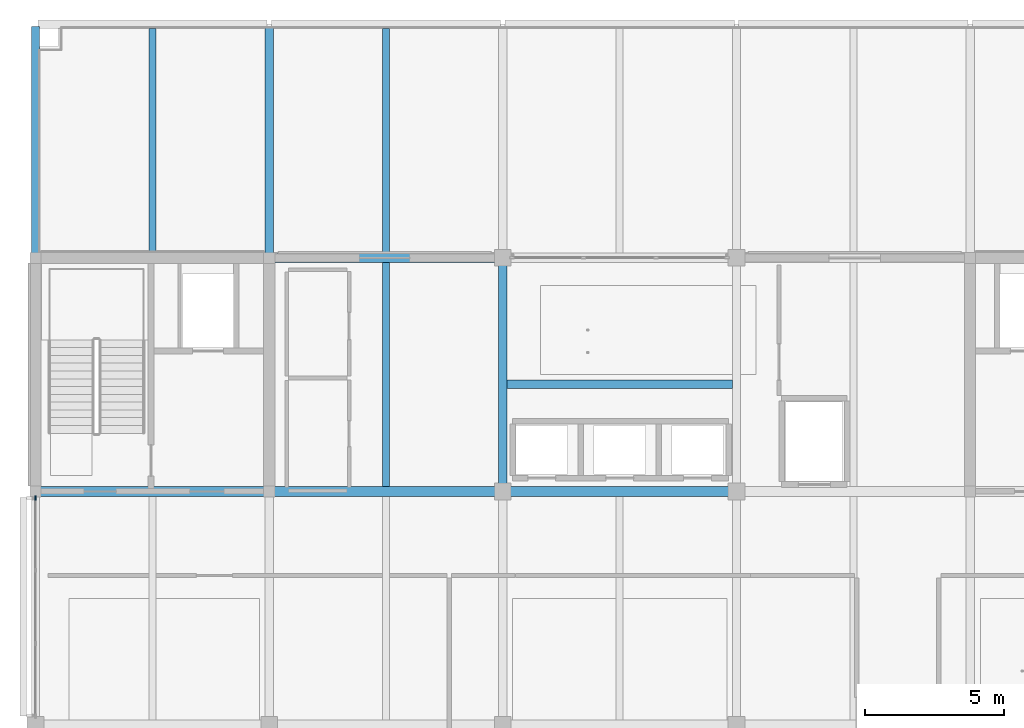
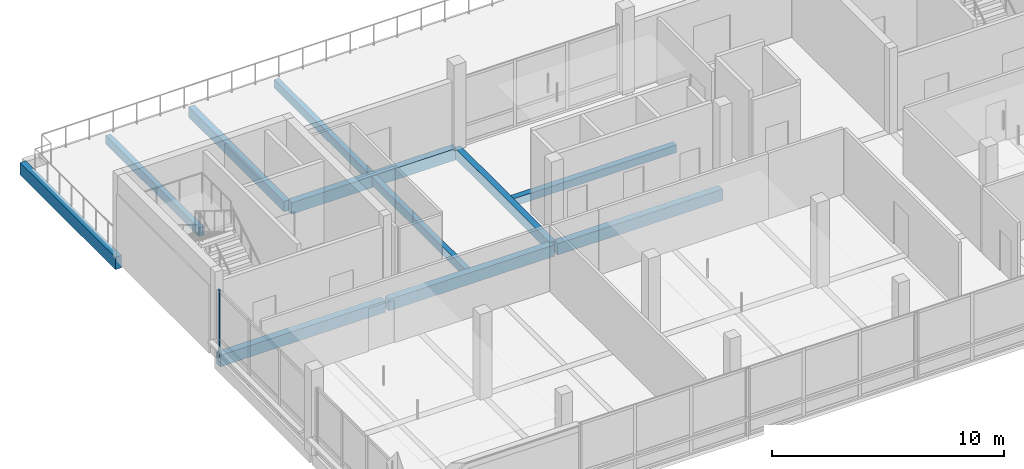
# One storey, part 4 of 25: 11 beams, 1 member, 1 element without a shape of its own.
"""IFC4 building model written with IfcOpenShell, lengths in metres."""

from ifc_helpers import new_model, si_unit, direction, frame, origin, origin_2d, place, context, subcontext, project, spatial, rectangle, extrude, material, layer, layer_set, material_profile, profile_set, type_object, element, aggregate, save


model = new_model("IFC4")

# Units and contexts
model_context = context("Model", 3, precision=1e-05, world=origin(), true_north=direction((0.0, 1.0)))
body_context = subcontext(model_context, "Body", "Model", "MODEL_VIEW")
ifc_project = project(units=[si_unit("LENGTHUNIT", "METRE"), si_unit("AREAUNIT", "SQUARE_METRE"), si_unit("VOLUMEUNIT", "CUBIC_METRE"), si_unit("PLANEANGLEUNIT", "RADIAN"), si_unit("MASSUNIT", "GRAM", prefix="KILO")], contexts=[model_context])

# Site, building, storey
site_placement = place(None, origin())
site = spatial("IfcSite", under=ifc_project, at=site_placement, CompositionType="ELEMENT")
building_placement = place(site_placement, origin())
building = spatial("IfcBuilding", under=site, at=building_placement, Name="Telukmera Botanical Conservatory", CompositionType="ELEMENT")
storey_placement = place(building_placement, frame((0.0, 0.0, 64.5)))
storey = spatial("IfcBuildingStorey", under=building, at=storey_placement, Name="L14", CompositionType="ELEMENT", Elevation=64.5)

# Beams
ifc_material_1 = material(Name="Concrete C40/50", Category="concrete")
ifc_material_profile_1 = material_profile(ifc_material_1, rectangle(XDim=0.300048828125, YDim=0.550048828125, at=origin_2d()), Name="RC 300x550")
ifc_profile_set_1 = profile_set([ifc_material_profile_1], Name="Concrete C40/50")
beam_type_1 = type_object("IfcBeamType", Name="Beam_B10", PredefinedType="BEAM", material=ifc_profile_set_1)
for number, where, z_axis, x_axis, name in (
    (1, (67.199951171875, 34.47998046875, -0.27490234375), (0.0, 1.0, 0.0), (-1.0, 0.0, 0.0), "Tower Transverse Beam L14"),
    (2, (75.60009765625, 26.080078125, -0.27490234375), (0.0, 1.0, 0.0), (-1.0, 0.0, 0.0), "Tower Transverse Beam L14"),
):
    element("IfcBeam", number, at=place(storey_placement, frame(where, z_axis=z_axis, x_axis=x_axis)), inside=storey, type_object=beam_type_1, Name=name, PredefinedType="BEAM", context=body_context, shape_type="SweptSolid", body=[
        extrude(rectangle(XDim=0.300048828125, YDim=0.550048828125, at=origin_2d()), origin(), (0.0, 0.0, 1.0), 8.239990234375),
    ])
ifc_material_profile_2 = material_profile(ifc_material_1, rectangle(XDim=0.25, YDim=0.449951171875, at=origin_2d()), Name="RC 250x450")
ifc_profile_set_2 = profile_set([ifc_material_profile_2], Name="Concrete C40/50")
beam_type_2 = type_object("IfcBeamType", Name="Beam_B27", PredefinedType="JOIST", material=ifc_profile_set_2)
beam_1_placement = place(storey_placement, frame((63.0, 34.60009765625, -0.22509765625), z_axis=(0.0, 1.0, 0.0), x_axis=(-1.0, 0.0, 0.0)))
element("IfcBeam", 3, at=beam_1_placement, inside=storey, type_object=beam_type_2, Name="Tower Secondary Floor Joist L14", PredefinedType="JOIST", context=body_context, shape_type="SweptSolid", body=[
    extrude(rectangle(XDim=0.25, YDim=0.449951171875, at=origin_2d()), origin(), (0.0, 0.0, 1.0), 8.0498046875),
])
beam_2_placement = place(storey_placement, frame((71.39990234375, 26.175048828125, -0.22509765625), z_axis=(0.0, 1.0, 0.0), x_axis=(-1.0, 0.0, 0.0)))
element("IfcBeam", 4, at=beam_2_placement, inside=storey, type_object=beam_type_2, Name="Tower Secondary Floor Joist L14", PredefinedType="JOIST", context=body_context, shape_type="SweptSolid", body=[
    extrude(rectangle(XDim=0.25, YDim=0.449951171875, at=origin_2d()), origin(), (0.0, 0.0, 1.0), 8.050048828125),
])
beam_3_placement = place(storey_placement, frame((71.39990234375, 34.574951171875, -0.22509765625), z_axis=(0.0, 1.0, 0.0), x_axis=(-1.0, 0.0, 0.0)))
element("IfcBeam", 5, at=beam_3_placement, inside=storey, type_object=beam_type_2, Name="Tower Secondary Floor Joist L14", PredefinedType="JOIST", context=body_context, shape_type="SweptSolid", body=[
    extrude(rectangle(XDim=0.25, YDim=0.449951171875, at=origin_2d()), origin(), (0.0, 0.0, 1.0), 8.074951171875),
])
ifc_material_profile_3 = material_profile(ifc_material_1, rectangle(XDim=0.35009765625, YDim=0.60009765625, at=origin_2d()), Name="RC 350x600")
ifc_profile_set_3 = profile_set([ifc_material_profile_3], Name="Concrete C40/50")
beam_type_3 = type_object("IfcBeamType", Name="Beam_B9", PredefinedType="BEAM", material=ifc_profile_set_3)
beam_4_placement = place(storey_placement, frame((58.8798828125, 26.0, -0.300048828125), z_axis=(1.0, 0.0, 0.0), x_axis=(0.0, 1.0, 0.0)))
element("IfcBeam", 6, at=beam_4_placement, inside=storey, type_object=beam_type_3, Name="Tower Grid Beam L14", PredefinedType="BEAM", context=body_context, shape_type="SweptSolid", body=[
    extrude(rectangle(XDim=0.35009765625, YDim=0.60009765625, at=origin_2d()), origin(), (0.0, 0.0, 1.0), 8.240234375),
])
for number, where, z_axis, x_axis, name in (
    (7, (67.280029296875, 26.0, -0.300048828125), (1.0, 0.0, 0.0), (0.0, 1.0, 0.0), "Tower Grid Beam L14"),
    (8, (75.679931640625, 26.0, -0.300048828125), (1.0, 0.0, 0.0), (0.0, 1.0, 0.0), "Tower Grid Beam L14"),
    (9, (67.280029296875, 34.39990234375, -0.300048828125), (1.0, 0.0, 0.0), (0.0, 1.0, 0.0), "Tower Grid Beam L14"),
):
    element("IfcBeam", number, at=place(storey_placement, frame(where, z_axis=z_axis, x_axis=x_axis)), inside=storey, type_object=beam_type_3, Name=name, PredefinedType="BEAM", context=body_context, shape_type="SweptSolid", body=[
        extrude(rectangle(XDim=0.35009765625, YDim=0.60009765625, at=origin_2d()), origin(), (0.0, 0.0, 1.0), 8.239990234375),
    ])
ifc_material_2 = material(Name="Precast concrete C40/50", Category="concrete")
ifc_material_profile_4 = material_profile(ifc_material_2, rectangle(XDim=0.300048828125, YDim=0.39990234375, at=origin_2d()), Name="PC 300x400")
ifc_profile_set_4 = profile_set([ifc_material_profile_4], Name="Precast concrete C40/50")
beam_type_4 = type_object("IfcBeamType", Name="Beam_LN1", PredefinedType="LINTEL", material=ifc_profile_set_4)
beam_5_placement = place(storey_placement, frame((75.75, 29.85009765625, -0.199951171875), z_axis=(1.0, 0.0, 0.0), x_axis=(0.0, 1.0, 0.0)))
element("IfcBeam", 10, at=beam_5_placement, inside=storey, type_object=beam_type_4, Name="Tower Lift Bank Header Lintel L14", PredefinedType="LINTEL", context=body_context, shape_type="SweptSolid", body=[
    extrude(rectangle(XDim=0.300048828125, YDim=0.39990234375, at=origin_2d()), origin(), (0.0, 0.0, 1.0), 8.10009765625),
])
ifc_material_profile_5 = material_profile(ifc_material_2, rectangle(XDim=0.300048828125, YDim=0.64990234375, at=origin_2d()), Name="PC 300x650")
ifc_profile_set_5 = profile_set([ifc_material_profile_5], Name="Precast concrete C40/50")
beam_type_5 = type_object("IfcBeamType", Name="Beam_SP4", PredefinedType="SPANDREL", material=ifc_profile_set_5)
beam_6_placement = place(storey_placement, frame((58.800048828125, 34.47998046875, -0.324951171875), z_axis=(0.0, 1.0, 0.0), x_axis=(-1.0, 0.0, 0.0)))
element("IfcBeam", 11, at=beam_6_placement, inside=storey, type_object=beam_type_5, Name="Tower Transverse Beam L14", PredefinedType="SPANDREL", context=body_context, shape_type="SweptSolid", body=[
    extrude(rectangle(XDim=0.300048828125, YDim=0.64990234375, at=origin_2d()), origin(), (0.0, 0.0, 1.0), 8.239990234375),
])

# Curtain wall, member
ifc_material_3 = material(Name="Anodised aluminium 6063-T6", Category="aluminium")
ifc_layer = layer(ifc_material_3, 0.179931640625)
ifc_layer_set = layer_set([ifc_layer], Name="Anodised aluminium 6063-T6")
curtain_wall_type = type_object("IfcCurtainWallType", Name="Tower Sky Gallery Panoramic Curtain Wall", PredefinedType="USERDEFINED", material=ifc_layer_set)
curtain_wall_placement = place(storey_placement, origin())
curtain_wall = element("IfcCurtainWall", 12, at=curtain_wall_placement, inside=storey, type_object=curtain_wall_type, Name="Unitised Curtain Wall CW16 V4:L14:W2", ObjectType="UNITISED CURTAIN WALL", PredefinedType="USERDEFINED")
ifc_material_profile_6 = material_profile(ifc_material_3, rectangle(XDim=0.06494140625, YDim=0.159912109375, at=origin_2d()), Name="ALU MULL 65x160")
ifc_profile_set_6 = profile_set([ifc_material_profile_6], Name="Anodised aluminium 6063-T6")
member_type = type_object("IfcMemberType", Name="Curtain Wall Extruded Mullion 65x160", PredefinedType="MULLION", material=ifc_profile_set_6)
member_placement = place(storey_placement, frame((58.800048828125, 25.765380859375, 0.0), z_axis=(0.0, 0.0, 1.0), x_axis=(-1.0, 0.0, 0.0)))
member = element("IfcMember", 13, at=member_placement, type_object=member_type, Name="CW16 mullion 4", PredefinedType="MULLION", context=body_context, shape_type="SweptSolid", body=[
    extrude(rectangle(XDim=0.06494140625, YDim=0.159912109375, at=origin_2d()), origin(), (0.0, 0.0, 1.0), 3.550048828125),
])
aggregate(curtain_wall, [member])

save(model, "model.ifc")
